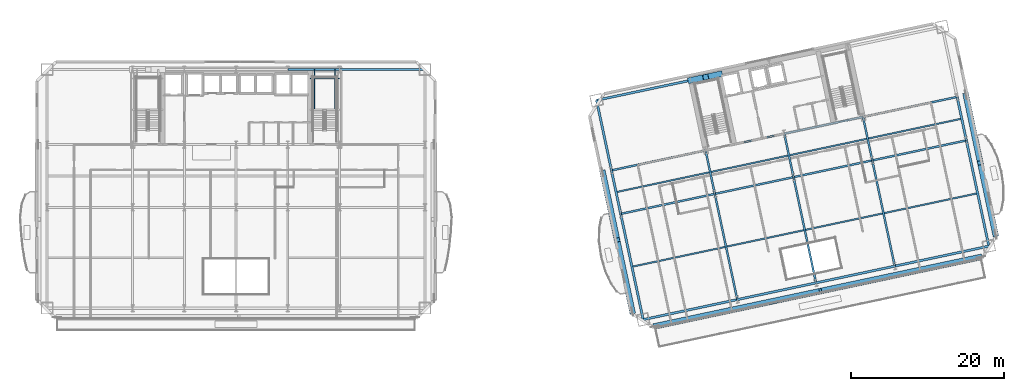
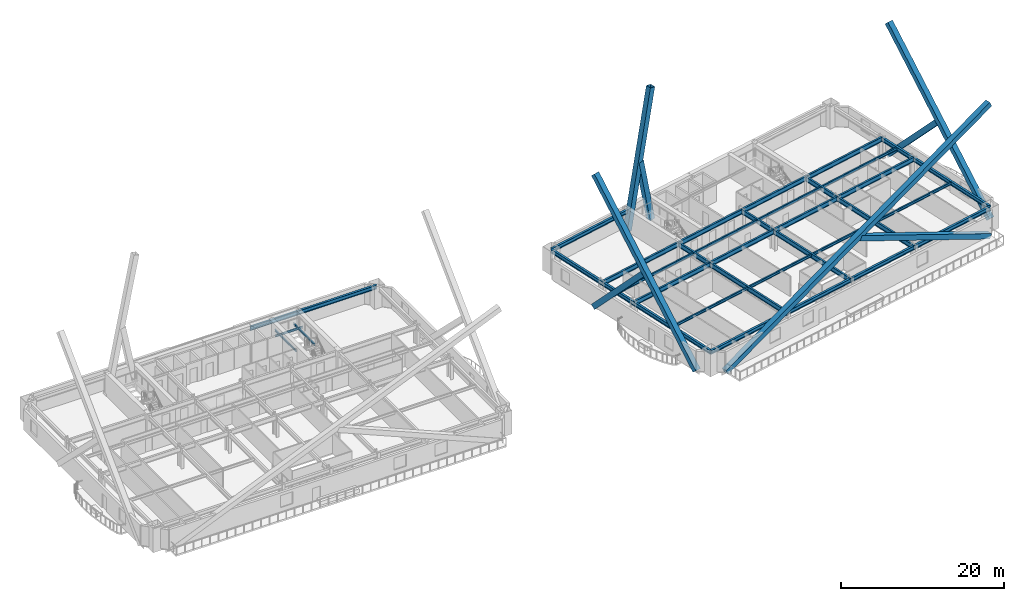
# One storey, part 5 of 25: 37 beams, 8 members.
"""IFC4 building model written with IfcOpenShell, lengths in metres."""

from ifc_helpers import new_model, si_unit, direction, frame, origin, origin_2d, place, context, subcontext, project, spatial, hollow_rectangle, i_section, extrude, material, material_profile, profile_set, type_object, element, save


model = new_model("IFC4")

# Units and contexts
model_context = context("Model", 3, precision=1e-05, world=origin(), true_north=direction((0.0, 1.0)))
body_context = subcontext(model_context, "Body", "Model", "MODEL_VIEW")
ifc_project = project(units=[si_unit("LENGTHUNIT", "METRE"), si_unit("AREAUNIT", "SQUARE_METRE"), si_unit("VOLUMEUNIT", "CUBIC_METRE"), si_unit("PLANEANGLEUNIT", "RADIAN"), si_unit("MASSUNIT", "GRAM", prefix="KILO")], contexts=[model_context])

# Site, building, storey
site_placement = place(None, origin())
site = spatial("IfcSite", under=ifc_project, at=site_placement, CompositionType="ELEMENT")
building_placement = place(site_placement, origin())
building = spatial("IfcBuilding", under=site, at=building_placement, Name="Haevon Station Towers", CompositionType="ELEMENT")
storey_placement = place(building_placement, frame((0.0, 0.0, 50.39990234375)))
storey = spatial("IfcBuildingStorey", under=building, at=storey_placement, Name="L12", CompositionType="ELEMENT", Elevation=50.39990234375)

# Beams
ifc_material_1 = material(Name="Steel S355", Category="steel")
ifc_material_profile_1 = material_profile(ifc_material_1, i_section(OverallWidth=0.25, OverallDepth=0.699951171875, WebThickness=0.012939453125, FlangeThickness=0.02392578125, at=origin_2d()), Name="H-700x250x13x24")
ifc_profile_set_1 = profile_set([ifc_material_profile_1], Name="Steel S355")
beam_type_1 = type_object("IfcBeamType", Name="BM-G700", PredefinedType="BEAM", material=ifc_profile_set_1)
beam_1_placement = place(storey_placement, frame((87.682373046875, 29.159912109375, 2.7001953125), z_axis=(0.978150643069, 0.207897377242, 0.0), x_axis=(-0.207897377242, 0.978150643069, 0.0)))
element("IfcBeam", 1, at=beam_1_placement, inside=storey, type_object=beam_type_1, Name="BM-T2U-L12-02-01", PredefinedType="BEAM", context=body_context, shape_type="SweptSolid", body=[
    extrude(i_section(OverallWidth=0.25, OverallDepth=0.699951171875, WebThickness=0.012939453125, FlangeThickness=0.02392578125, at=origin_2d()), origin(), (0.0, 0.0, 1.0), 12.550048828125),
])
for number, where, z_axis, x_axis, name in (
    (2, (99.958251953125, 31.76904296875, 2.7001953125), (0.978146794194, 0.207915485254, 0.0), (-0.207915485254, 0.978146794194, 0.0), "BM-T2U-L12-02-02"),
    (3, (110.228759765625, 33.9521484375, 2.7001953125), (0.978146794194, 0.207915485254, 0.0), (-0.207915485254, 0.978146794194, 0.0), "BM-T2U-L12-02-03"),
):
    element("IfcBeam", number, at=place(storey_placement, frame(where, z_axis=z_axis, x_axis=x_axis)), inside=storey, type_object=beam_type_1, Name=name, PredefinedType="BEAM", context=body_context, shape_type="SweptSolid", body=[
        extrude(i_section(OverallWidth=0.25, OverallDepth=0.699951171875, WebThickness=0.012939453125, FlangeThickness=0.02392578125, at=origin_2d()), origin(), (0.0, 0.0, 1.0), 10.5),
    ])
for number, where, z_axis, x_axis, name in (
    (4, (120.499267578125, 36.13525390625, 2.7001953125), (0.978146686984, 0.207915989628, 0.0), (-0.207915989628, 0.978146686984, 0.0), "BM-T2U-L12-02-04"),
    (5, (86.4765625, 34.8330078125, 2.7001953125), (0.978146686984, 0.207915989628, 0.0), (-0.207915989628, 0.978146686984, 0.0), "BM-T2U-L12-03-01"),
):
    element("IfcBeam", number, at=place(storey_placement, frame(where, z_axis=z_axis, x_axis=x_axis)), inside=storey, type_object=beam_type_1, Name=name, PredefinedType="BEAM", context=body_context, shape_type="SweptSolid", body=[
        extrude(i_section(OverallWidth=0.25, OverallDepth=0.699951171875, WebThickness=0.012939453125, FlangeThickness=0.02392578125, at=origin_2d()), origin(), (0.0, 0.0, 1.0), 12.550048828125),
    ])
for number, where, z_axis, x_axis, name in (
    (6, (98.75244140625, 37.4423828125, 2.7001953125), (0.978146794194, 0.207915485254, 0.0), (-0.207915485254, 0.978146794194, 0.0), "BM-T2U-L12-03-02"),
    (7, (109.02294921875, 39.62548828125, 2.7001953125), (0.978146794194, 0.207915485254, 0.0), (-0.207915485254, 0.978146794194, 0.0), "BM-T2U-L12-03-03"),
):
    element("IfcBeam", number, at=place(storey_placement, frame(where, z_axis=z_axis, x_axis=x_axis)), inside=storey, type_object=beam_type_1, Name=name, PredefinedType="BEAM", context=body_context, shape_type="SweptSolid", body=[
        extrude(i_section(OverallWidth=0.25, OverallDepth=0.699951171875, WebThickness=0.012939453125, FlangeThickness=0.02392578125, at=origin_2d()), origin(), (0.0, 0.0, 1.0), 10.5),
    ])
beam_2_placement = place(storey_placement, frame((119.29345703125, 41.80859375, 2.7001953125), z_axis=(0.978145846015, 0.207919945948, 0.0), x_axis=(-0.207919945948, 0.978145846015, 0.0)))
element("IfcBeam", 8, at=beam_2_placement, inside=storey, type_object=beam_type_1, Name="BM-T2U-L12-03-04", PredefinedType="BEAM", context=body_context, shape_type="SweptSolid", body=[
    extrude(i_section(OverallWidth=0.25, OverallDepth=0.699951171875, WebThickness=0.012939453125, FlangeThickness=0.02392578125, at=origin_2d()), origin(), (0.0, 0.0, 1.0), 12.5498046875),
])
beam_3_placement = place(storey_placement, frame((102.889892578125, 17.977294921875, 2.7001953125), z_axis=(-0.207919431961, 0.978145955271, 0.0), x_axis=(-0.978145955271, -0.207919431961, 0.0)))
element("IfcBeam", 9, at=beam_3_placement, inside=storey, type_object=beam_type_1, Name="BM-T2V-L12-02-01", PredefinedType="BEAM", context=body_context, shape_type="SweptSolid", body=[
    extrude(i_section(OverallWidth=0.25, OverallDepth=0.699951171875, WebThickness=0.012939453125, FlangeThickness=0.02392578125, at=origin_2d()), origin(), (0.0, 0.0, 1.0), 14.099853515625),
])
beam_4_placement = place(storey_placement, frame((99.958251953125, 31.76904296875, 2.7001953125), z_axis=(-0.207896009217, 0.97815093383, 0.0), x_axis=(-0.97815093383, -0.207896009217, 0.0)))
element("IfcBeam", 10, at=beam_4_placement, inside=storey, type_object=beam_type_1, Name="BM-T2V-L12-02-02", PredefinedType="BEAM", context=body_context, shape_type="SweptSolid", body=[
    extrude(i_section(OverallWidth=0.25, OverallDepth=0.699951171875, WebThickness=0.012939453125, FlangeThickness=0.02392578125, at=origin_2d()), origin(), (0.0, 0.0, 1.0), 5.800048828125),
])
beam_5_placement = place(storey_placement, frame((113.160400390625, 20.160400390625, 2.7001953125), z_axis=(-0.207919431961, 0.978145955271, 0.0), x_axis=(-0.978145955271, -0.207919431961, 0.0)))
element("IfcBeam", 11, at=beam_5_placement, inside=storey, type_object=beam_type_1, Name="BM-T2V-L12-03-01", PredefinedType="BEAM", context=body_context, shape_type="SweptSolid", body=[
    extrude(i_section(OverallWidth=0.25, OverallDepth=0.699951171875, WebThickness=0.012939453125, FlangeThickness=0.02392578125, at=origin_2d()), origin(), (0.0, 0.0, 1.0), 14.099853515625),
])
beam_6_placement = place(storey_placement, frame((110.228759765625, 33.9521484375, 2.7001953125), z_axis=(-0.207896009217, 0.97815093383, 0.0), x_axis=(-0.97815093383, -0.207896009217, 0.0)))
element("IfcBeam", 12, at=beam_6_placement, inside=storey, type_object=beam_type_1, Name="BM-T2V-L12-03-02", PredefinedType="BEAM", context=body_context, shape_type="SweptSolid", body=[
    extrude(i_section(OverallWidth=0.25, OverallDepth=0.699951171875, WebThickness=0.012939453125, FlangeThickness=0.02392578125, at=origin_2d()), origin(), (0.0, 0.0, 1.0), 5.800048828125),
])
beam_7_placement = place(storey_placement, frame((123.430908203125, 22.343505859375, 2.7001953125), z_axis=(-0.207919431961, 0.978145955271, 0.0), x_axis=(-0.978145955271, -0.207919431961, 0.0)))
element("IfcBeam", 13, at=beam_7_placement, inside=storey, type_object=beam_type_1, Name="BM-T2V-L12-04-01", PredefinedType="BEAM", context=body_context, shape_type="SweptSolid", body=[
    extrude(i_section(OverallWidth=0.25, OverallDepth=0.699951171875, WebThickness=0.012939453125, FlangeThickness=0.02392578125, at=origin_2d()), origin(), (0.0, 0.0, 1.0), 14.099853515625),
])
beam_8_placement = place(storey_placement, frame((120.499267578125, 36.13525390625, 2.7001953125), z_axis=(-0.207896009217, 0.97815093383, 0.0), x_axis=(-0.97815093383, -0.207896009217, 0.0)))
element("IfcBeam", 14, at=beam_8_placement, inside=storey, type_object=beam_type_1, Name="BM-T2V-L12-04-02", PredefinedType="BEAM", context=body_context, shape_type="SweptSolid", body=[
    extrude(i_section(OverallWidth=0.25, OverallDepth=0.699951171875, WebThickness=0.012939453125, FlangeThickness=0.02392578125, at=origin_2d()), origin(), (0.0, 0.0, 1.0), 5.800048828125),
])
ifc_material_profile_2 = material_profile(ifc_material_1, i_section(OverallWidth=0.199951171875, OverallDepth=0.39990234375, WebThickness=0.008056640625, FlangeThickness=0.012939453125, at=origin_2d()), Name="H-400x200x8x13")
ifc_profile_set_2 = profile_set([ifc_material_profile_2], Name="Steel S355")
beam_type_2 = type_object("IfcBeamType", Name="BM-J400", PredefinedType="JOIST", material=ifc_profile_set_2)
beam_9_placement = place(storey_placement, frame((89.255859375, 22.286865234375, 2.85009765625), z_axis=(0.97814878519, 0.20790611831, 0.0), x_axis=(-0.20790611831, 0.97814878519, 0.0)))
element("IfcBeam", 15, at=beam_9_placement, inside=storey, type_object=beam_type_2, Name="BM-T2J-L12-01-01", PredefinedType="JOIST", context=body_context, shape_type="SweptSolid", body=[
    extrude(i_section(OverallWidth=0.199951171875, OverallDepth=0.39990234375, WebThickness=0.008056640625, FlangeThickness=0.012939453125, at=origin_2d()), origin(), (0.0, 0.0, 1.0), 12.330078125),
])
beam_10_placement = place(storey_placement, frame((101.531494140625, 24.89599609375, 2.85009765625), z_axis=(0.978145509903, 0.207921527161, 0.0), x_axis=(-0.207921527161, 0.978145509903, 0.0)))
element("IfcBeam", 16, at=beam_10_placement, inside=storey, type_object=beam_type_2, Name="BM-T2J-L12-01-02", PredefinedType="JOIST", context=body_context, shape_type="SweptSolid", body=[
    extrude(i_section(OverallWidth=0.199951171875, OverallDepth=0.39990234375, WebThickness=0.008056640625, FlangeThickness=0.012939453125, at=origin_2d()), origin(), (0.0, 0.0, 1.0), 10.280029296875),
])
beam_11_placement = place(storey_placement, frame((111.80224609375, 27.0791015625, 2.85009765625), z_axis=(0.97814448317, 0.207926357261, 0.0), x_axis=(-0.207926357261, 0.97814448317, 0.0)))
element("IfcBeam", 17, at=beam_11_placement, inside=storey, type_object=beam_type_2, Name="BM-T2J-L12-01-03", PredefinedType="JOIST", context=body_context, shape_type="SweptSolid", body=[
    extrude(i_section(OverallWidth=0.199951171875, OverallDepth=0.39990234375, WebThickness=0.008056640625, FlangeThickness=0.012939453125, at=origin_2d()), origin(), (0.0, 0.0, 1.0), 10.27978515625),
])
for number, where, z_axis, x_axis, name in (
    (18, (122.07275390625, 29.26220703125, 2.85009765625), (0.97814878519, 0.20790611831, 0.0), (-0.20790611831, 0.97814878519, 0.0), "BM-T2J-L12-01-04"),
    (19, (87.187255859375, 32.019287109375, 2.85009765625), (0.978144758315, 0.207925062896, 0.0), (-0.207925062896, 0.978144758315, 0.0), "BM-T2J-L12-02-01"),
):
    element("IfcBeam", number, at=place(storey_placement, frame(where, z_axis=z_axis, x_axis=x_axis)), inside=storey, type_object=beam_type_2, Name=name, PredefinedType="JOIST", context=body_context, shape_type="SweptSolid", body=[
        extrude(i_section(OverallWidth=0.199951171875, OverallDepth=0.39990234375, WebThickness=0.008056640625, FlangeThickness=0.012939453125, at=origin_2d()), origin(), (0.0, 0.0, 1.0), 12.330078125),
    ])
for number, where, z_axis, x_axis, name in (
    (20, (99.462890625, 34.628662109375, 2.85009765625), (0.978150339653, 0.207898804801, 0.0), (-0.207898804801, 0.978150339653, 0.0), "BM-T2J-L12-02-02"),
    (21, (109.7333984375, 36.811767578125, 2.85009765625), (0.978150339653, 0.207898804801, 0.0), (-0.207898804801, 0.978150339653, 0.0), "BM-T2J-L12-02-03"),
):
    element("IfcBeam", number, at=place(storey_placement, frame(where, z_axis=z_axis, x_axis=x_axis)), inside=storey, type_object=beam_type_2, Name=name, PredefinedType="JOIST", context=body_context, shape_type="SweptSolid", body=[
        extrude(i_section(OverallWidth=0.199951171875, OverallDepth=0.39990234375, WebThickness=0.008056640625, FlangeThickness=0.012939453125, at=origin_2d()), origin(), (0.0, 0.0, 1.0), 10.280029296875),
    ])
beam_12_placement = place(storey_placement, frame((120.00390625, 38.994873046875, 2.85009765625), z_axis=(0.97814878519, 0.20790611831, 0.0), x_axis=(-0.20790611831, 0.97814878519, 0.0)))
element("IfcBeam", 22, at=beam_12_placement, inside=storey, type_object=beam_type_2, Name="BM-T2J-L12-02-04", PredefinedType="JOIST", context=body_context, shape_type="SweptSolid", body=[
    extrude(i_section(OverallWidth=0.199951171875, OverallDepth=0.39990234375, WebThickness=0.008056640625, FlangeThickness=0.012939453125, at=origin_2d()), origin(), (0.0, 0.0, 1.0), 12.330078125),
])
ifc_material_profile_3 = material_profile(ifc_material_1, i_section(OverallWidth=0.14990234375, OverallDepth=0.300048828125, WebThickness=0.006591796875, FlangeThickness=0.009033203125, at=origin_2d()), Name="H-300x150x6.5x9")
ifc_profile_set_3 = profile_set([ifc_material_profile_3], Name="Steel S355")
beam_type_3 = type_object("IfcBeamType", Name="BM-LIN300", PredefinedType="LINTEL", material=ifc_profile_set_3)
beam_13_placement = place(storey_placement, frame((47.14990234375, 46.820068359375, 1.300048828125), z_axis=(1.0, 0.0, 0.0), x_axis=(0.0, 1.0, 0.0)))
element("IfcBeam", 23, at=beam_13_placement, inside=storey, type_object=beam_type_3, Name="BM-ST2L-L12-1-N", PredefinedType="LINTEL", context=body_context, shape_type="SweptSolid", body=[
    extrude(i_section(OverallWidth=0.14990234375, OverallDepth=0.300048828125, WebThickness=0.006591796875, FlangeThickness=0.009033203125, at=origin_2d()), origin(), (0.0, 0.0, 1.0), 3.85009765625),
])
for number, where, z_axis, x_axis, name in (
    (24, (47.75, 42.743896484375, 1.300048828125), (0.0, 1.0, 0.0), (-1.0, 0.0, 0.0), "BM-ST2L-L12-1-W"),
    (25, (50.39990234375, 42.743896484375, 1.300048828125), (0.0, 1.0, 0.0), (-1.0, 0.0, 0.0), "BM-ST2L-L12-1-E"),
):
    element("IfcBeam", number, at=place(storey_placement, frame(where, z_axis=z_axis, x_axis=x_axis)), inside=storey, type_object=beam_type_3, Name=name, PredefinedType="LINTEL", context=body_context, shape_type="SweptSolid", body=[
        extrude(i_section(OverallWidth=0.14990234375, OverallDepth=0.300048828125, WebThickness=0.006591796875, FlangeThickness=0.009033203125, at=origin_2d()), origin(), (0.0, 0.0, 1.0), 5.256103515625),
    ])
ifc_material_profile_4 = material_profile(ifc_material_1, i_section(OverallWidth=0.300048828125, OverallDepth=0.587890625, WebThickness=0.011962890625, FlangeThickness=0.02001953125, at=origin_2d()), Name="H-588x300x12x20")
ifc_profile_set_4 = profile_set([ifc_material_profile_4], Name="Steel S355")
beam_type_4 = type_object("IfcBeamType", Name="BM-SP588", PredefinedType="SPANDREL", material=ifc_profile_set_4)
beam_14_placement = place(storey_placement, frame((44.25, 48.0, 2.756103515625), z_axis=(1.0, 0.0, 0.0), x_axis=(0.0, 1.0, 0.0)))
element("IfcBeam", 26, at=beam_14_placement, inside=storey, type_object=beam_type_4, Name="BM-T1U-L12-04-05", PredefinedType="SPANDREL", context=body_context, shape_type="SweptSolid", body=[
    extrude(i_section(OverallWidth=0.300048828125, OverallDepth=0.587890625, WebThickness=0.011962890625, FlangeThickness=0.02001953125, at=origin_2d()), origin(), (0.0, 0.0, 1.0), 6.75),
])
beam_15_placement = place(storey_placement, frame((51.0, 48.0, 2.756103515625), z_axis=(1.0, 0.0, 0.0), x_axis=(0.0, 1.0, 0.0)))
element("IfcBeam", 27, at=beam_15_placement, inside=storey, type_object=beam_type_4, Name="BM-T1U-L12-04-06", PredefinedType="SPANDREL", context=body_context, shape_type="SweptSolid", body=[
    extrude(i_section(OverallWidth=0.300048828125, OverallDepth=0.587890625, WebThickness=0.011962890625, FlangeThickness=0.02001953125, at=origin_2d()), origin(), (0.0, 0.0, 1.0), 11.14990234375),
])
beam_16_placement = place(storey_placement, frame((90.614013671875, 15.367919921875, 2.756103515625), z_axis=(0.978146686984, 0.207915989628, 0.0), x_axis=(-0.207915989628, 0.978146686984, 0.0)))
element("IfcBeam", 28, at=beam_16_placement, inside=storey, type_object=beam_type_4, Name="BM-T2U-L12-01-01", PredefinedType="SPANDREL", context=body_context, shape_type="SweptSolid", body=[
    extrude(i_section(OverallWidth=0.300048828125, OverallDepth=0.587890625, WebThickness=0.011962890625, FlangeThickness=0.02001953125, at=origin_2d()), origin(), (0.0, 0.0, 1.0), 12.550048828125),
])
for number, where, z_axis, x_axis, name in (
    (29, (102.889892578125, 17.977294921875, 2.756103515625), (0.978146794194, 0.207915485254, 0.0), (-0.207915485254, 0.978146794194, 0.0), "BM-T2U-L12-01-02"),
    (30, (113.160400390625, 20.160400390625, 2.756103515625), (0.978146794194, 0.207915485254, 0.0), (-0.207915485254, 0.978146794194, 0.0), "BM-T2U-L12-01-03"),
):
    element("IfcBeam", number, at=place(storey_placement, frame(where, z_axis=z_axis, x_axis=x_axis)), inside=storey, type_object=beam_type_4, Name=name, PredefinedType="SPANDREL", context=body_context, shape_type="SweptSolid", body=[
        extrude(i_section(OverallWidth=0.300048828125, OverallDepth=0.587890625, WebThickness=0.011962890625, FlangeThickness=0.02001953125, at=origin_2d()), origin(), (0.0, 0.0, 1.0), 10.5),
    ])
for number, where, z_axis, x_axis, name in (
    (31, (123.430908203125, 22.343505859375, 2.756103515625), (0.978149802248, 0.20790133324, 0.0), (-0.20790133324, 0.978149802248, 0.0), "BM-T2U-L12-01-04"),
    (32, (84.53271484375, 43.978759765625, 2.756103515625), (0.978145846015, 0.207919945948, 0.0), (-0.207919945948, 0.978145846015, 0.0), "BM-T2U-L12-04-01"),
):
    element("IfcBeam", number, at=place(storey_placement, frame(where, z_axis=z_axis, x_axis=x_axis)), inside=storey, type_object=beam_type_4, Name=name, PredefinedType="SPANDREL", context=body_context, shape_type="SweptSolid", body=[
        extrude(i_section(OverallWidth=0.300048828125, OverallDepth=0.587890625, WebThickness=0.011962890625, FlangeThickness=0.02001953125, at=origin_2d()), origin(), (0.0, 0.0, 1.0), 12.5498046875),
    ])
beam_17_placement = place(storey_placement, frame((90.614013671875, 15.367919921875, 2.756103515625), z_axis=(-0.207915910556, 0.978146703791, 0.0), x_axis=(-0.978146703791, -0.207915910556, 0.0)))
element("IfcBeam", 33, at=beam_17_placement, inside=storey, type_object=beam_type_4, Name="BM-T2V-L12-01-01", PredefinedType="SPANDREL", context=body_context, shape_type="SweptSolid", body=[
    extrude(i_section(OverallWidth=0.300048828125, OverallDepth=0.587890625, WebThickness=0.011962890625, FlangeThickness=0.02001953125, at=origin_2d()), origin(), (0.0, 0.0, 1.0), 14.10009765625),
])
beam_18_placement = place(storey_placement, frame((87.682373046875, 29.159912109375, 2.756103515625), z_axis=(-0.207904569273, 0.978149114438, 0.0), x_axis=(-0.978149114438, -0.207904569273, 0.0)))
element("IfcBeam", 34, at=beam_18_placement, inside=storey, type_object=beam_type_4, Name="BM-T2V-L12-01-02", PredefinedType="SPANDREL", context=body_context, shape_type="SweptSolid", body=[
    extrude(i_section(OverallWidth=0.300048828125, OverallDepth=0.587890625, WebThickness=0.011962890625, FlangeThickness=0.02001953125, at=origin_2d()), origin(), (0.0, 0.0, 1.0), 5.7998046875),
])
beam_19_placement = place(storey_placement, frame((86.4765625, 34.8330078125, 2.756103515625), z_axis=(-0.207897167074, 0.978150687738, 0.0), x_axis=(-0.978150687738, -0.207897167074, 0.0)))
element("IfcBeam", 35, at=beam_19_placement, inside=storey, type_object=beam_type_4, Name="BM-T2V-L12-01-03", PredefinedType="SPANDREL", context=body_context, shape_type="SweptSolid", body=[
    extrude(i_section(OverallWidth=0.300048828125, OverallDepth=0.587890625, WebThickness=0.011962890625, FlangeThickness=0.02001953125, at=origin_2d()), origin(), (0.0, 0.0, 1.0), 9.35009765625),
])
beam_20_placement = place(storey_placement, frame((135.70654296875, 24.95263671875, 2.756103515625), z_axis=(-0.207899344185, 0.97815022501, 0.0), x_axis=(-0.97815022501, -0.207899344185, 0.0)))
element("IfcBeam", 36, at=beam_20_placement, inside=storey, type_object=beam_type_4, Name="BM-T2V-L12-05-01", PredefinedType="SPANDREL", context=body_context, shape_type="SweptSolid", body=[
    extrude(i_section(OverallWidth=0.300048828125, OverallDepth=0.587890625, WebThickness=0.011962890625, FlangeThickness=0.02001953125, at=origin_2d()), origin(), (0.0, 0.0, 1.0), 14.10009765625),
])
beam_21_placement = place(storey_placement, frame((132.775146484375, 38.74462890625, 2.756103515625), z_axis=(-0.207936282142, 0.978142373363, 0.0), x_axis=(-0.978142373363, -0.207936282142, 0.0)))
element("IfcBeam", 37, at=beam_21_placement, inside=storey, type_object=beam_type_4, Name="BM-T2V-L12-05-02", PredefinedType="SPANDREL", context=body_context, shape_type="SweptSolid", body=[
    extrude(i_section(OverallWidth=0.300048828125, OverallDepth=0.587890625, WebThickness=0.011962890625, FlangeThickness=0.02001953125, at=origin_2d()), origin(), (0.0, 0.0, 1.0), 5.800048828125),
])

# Members
ifc_material_2 = material(Name="Steel S460", Category="steel")
ifc_material_profile_5 = material_profile(ifc_material_2, hollow_rectangle(XDim=0.75, YDim=0.75, WallThickness=0.035888671875, at=origin_2d()), Name="RHS-750x750x36")
ifc_profile_set_5 = profile_set([ifc_material_profile_5], Name="Steel S460")
member_type = type_object("IfcMemberType", Name="MB-750", PredefinedType="BRACE", material=ifc_profile_set_5)
member_1_placement = place(storey_placement, frame((92.12890625, 14.493896484375, -0.119873046875), z_axis=(0.890493105302, 0.189281263044, 0.413756731511), x_axis=(-0.207912857784, 0.978147352687, 0.0)))
element("IfcMember", 38, at=member_1_placement, inside=storey, type_object=member_type, Name="BR-T2MB-T01-S-D1", PredefinedType="BRACE", context=body_context, shape_type="SweptSolid", body=[
    extrude(hollow_rectangle(XDim=0.75, YDim=0.75, WallThickness=0.035888671875, at=origin_2d()), origin(), (0.0, 0.0, 1.0), 47.78173828125),
])
member_2_placement = place(storey_placement, frame((134.67822265625, 23.5380859375, -0.119873046875), z_axis=(-0.890491737137, -0.189287533108, 0.413756807678), x_axis=(0.207919752937, -0.978145887043, 0.0)))
element("IfcMember", 39, at=member_2_placement, inside=storey, type_object=member_type, Name="BR-T2MB-T01-S-D2A", PredefinedType="BRACE", context=body_context, shape_type="SweptSolid", body=[
    extrude(hollow_rectangle(XDim=0.75, YDim=0.75, WallThickness=0.035888671875, at=origin_2d()), origin(), (0.0, 0.0, 1.0), 23.50390625),
])
member_3_placement = place(storey_placement, frame((96.808349609375, 46.588134765625, -0.119873046875), z_axis=(0.186971496987, 0.039745837188, 0.981560964862), x_axis=(-0.207930804564, 0.978143537786, 0.0)))
element("IfcMember", 40, at=member_3_placement, inside=storey, type_object=member_type, Name="BR-T2MB-T01-N-D1", PredefinedType="BRACE", context=body_context, shape_type="SweptSolid", body=[
    extrude(hollow_rectangle(XDim=0.75, YDim=0.75, WallThickness=0.035888671875, at=origin_2d()), origin(), (0.0, 0.0, 1.0), 20.141357421875),
])
member_4_placement = place(storey_placement, frame((100.57421875, 47.388671875, -0.119873046875), z_axis=(-0.186968795071, -0.039758601649, 0.981560962582), x_axis=(0.207997569249, -0.978129342769, 0.0)))
element("IfcMember", 41, at=member_4_placement, inside=storey, type_object=member_type, Name="BR-T2MB-T01-N-D2A", PredefinedType="BRACE", context=body_context, shape_type="SweptSolid", body=[
    extrude(hollow_rectangle(XDim=0.75, YDim=0.75, WallThickness=0.035888671875, at=origin_2d()), origin(), (0.0, 0.0, 1.0), 9.68359375),
])
member_5_placement = place(storey_placement, frame((89.19921875, 16.396240234375, -0.119873046875), z_axis=(-0.142458654217, 0.670254521808, 0.728329875699), x_axis=(-0.978150076599, -0.207900042448, 0.0)))
element("IfcMember", 42, at=member_5_placement, inside=storey, type_object=member_type, Name="BR-T2MB-T01-W-D1", PredefinedType="BRACE", context=body_context, shape_type="SweptSolid", body=[
    extrude(hollow_rectangle(XDim=0.75, YDim=0.75, WallThickness=0.035888671875, at=origin_2d()), origin(), (0.0, 0.0, 1.0), 27.144287109375),
])
member_6_placement = place(storey_placement, frame((85.332275390625, 34.58984375, -0.119873046875), z_axis=(0.14246544779, -0.670257899546, 0.728325438442), x_axis=(0.978148273478, 0.207908525779, 0.0)))
element("IfcMember", 43, at=member_6_placement, inside=storey, type_object=member_type, Name="BR-T2MB-T01-W-D2A", PredefinedType="BRACE", context=body_context, shape_type="SweptSolid", body=[
    extrude(hollow_rectangle(XDim=0.75, YDim=0.75, WallThickness=0.035888671875, at=origin_2d()), origin(), (0.0, 0.0, 1.0), 13.18505859375),
])
member_7_placement = place(storey_placement, frame((136.580810546875, 26.467529296875, -0.119873046875), z_axis=(-0.142467465838, 0.670253662987, 0.728328942464), x_axis=(-0.97814740729, -0.207912600897, 0.0)))
element("IfcMember", 44, at=member_7_placement, inside=storey, type_object=member_type, Name="BR-T2MB-T01-E-D1", PredefinedType="BRACE", context=body_context, shape_type="SweptSolid", body=[
    extrude(hollow_rectangle(XDim=0.75, YDim=0.75, WallThickness=0.035888671875, at=origin_2d()), origin(), (0.0, 0.0, 1.0), 27.144287109375),
])
member_8_placement = place(storey_placement, frame((132.713623046875, 44.6611328125, -0.119873046875), z_axis=(0.14246544779, -0.670257899546, 0.728325438442), x_axis=(0.978148273478, 0.207908525779, 0.0)))
element("IfcMember", 45, at=member_8_placement, inside=storey, type_object=member_type, Name="BR-T2MB-T01-E-D2A", PredefinedType="BRACE", context=body_context, shape_type="SweptSolid", body=[
    extrude(hollow_rectangle(XDim=0.75, YDim=0.75, WallThickness=0.035888671875, at=origin_2d()), origin(), (0.0, 0.0, 1.0), 13.18505859375),
])

save(model, "model.ifc")
